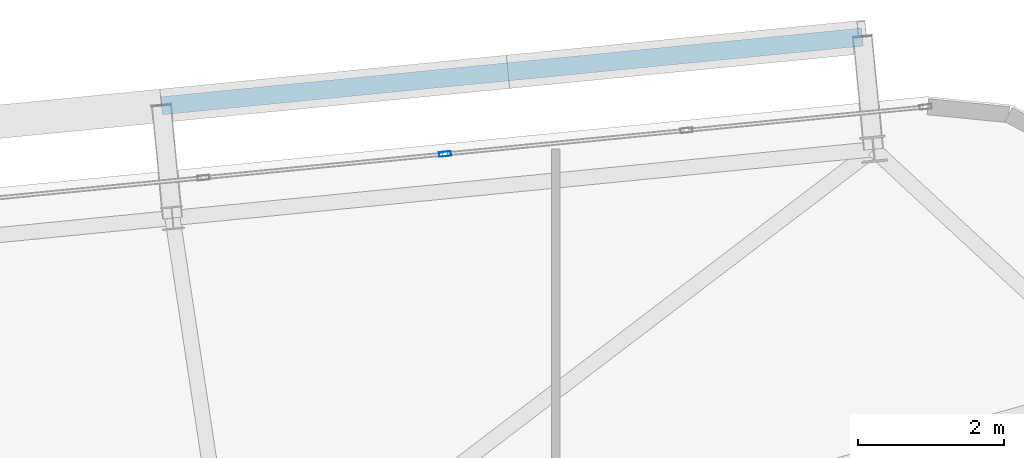
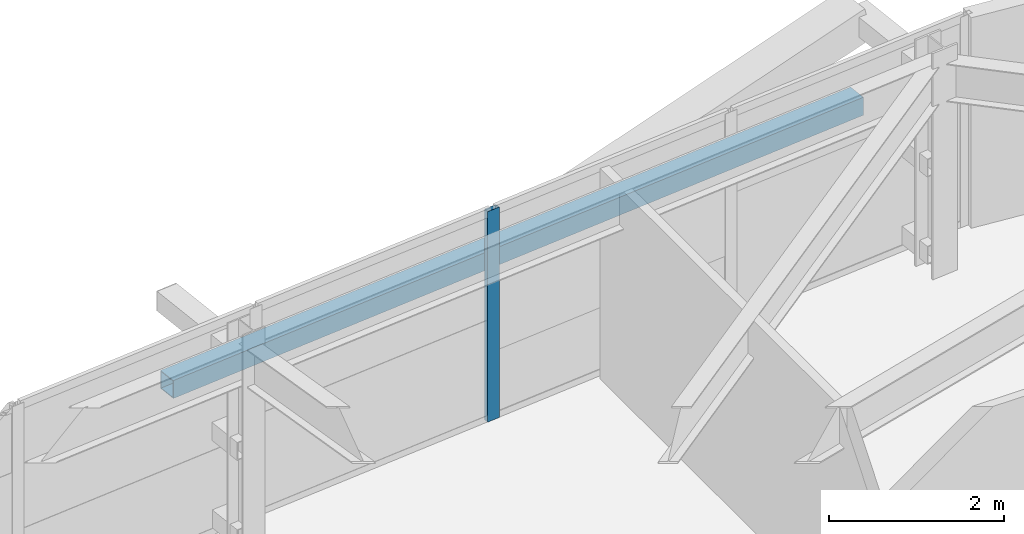
# One storey, part 33 of 53: 2 members, 1 element without a shape of its own.
"""IFC4 building model written with IfcOpenShell, lengths in metres."""

from ifc_helpers import new_model, si_unit, direction, frame, origin, origin_2d, place, context, subcontext, project, spatial, hollow_rectangle, extrude, source, transform, mapped, material, layer, layer_set, material_profile, profile_set, type_object, element, aggregate, save


model = new_model("IFC4")

# Units and contexts
model_context = context("Model", 3, precision=1e-05, world=origin(), true_north=direction((0.0, 1.0)))
body_context = subcontext(model_context, "Body", "Model", "MODEL_VIEW")
ifc_project = project(units=[si_unit("LENGTHUNIT", "METRE"), si_unit("AREAUNIT", "SQUARE_METRE"), si_unit("VOLUMEUNIT", "CUBIC_METRE"), si_unit("PLANEANGLEUNIT", "RADIAN"), si_unit("MASSUNIT", "GRAM", prefix="KILO")], contexts=[model_context])

# Site, building, storey
site_placement = place(None, origin())
site = spatial("IfcSite", under=ifc_project, at=site_placement, CompositionType="ELEMENT")
building_placement = place(site_placement, origin())
building = spatial("IfcBuilding", under=site, at=building_placement, Name="Taldren Reach Tower", CompositionType="ELEMENT")
storey_placement = place(building_placement, frame((0.0, 0.0, 68.25)))
storey = spatial("IfcBuildingStorey", under=building, at=storey_placement, Name="L20", CompositionType="ELEMENT", Elevation=68.25)

# Member
ifc_material_1 = material(Name="Steel Gr 350 (C350L0)", Category="steel")
ifc_material_profile_1 = material_profile(ifc_material_1, hollow_rectangle(XDim=0.25, YDim=0.25, WallThickness=0.010009765625, at=origin_2d()), Name="250x250x10.0SHS")
ifc_profile_set_1 = profile_set([ifc_material_profile_1], Name="Steel Gr 350 (C350L0)")
member_type_1 = type_object("IfcMemberType", Name="MB-POST250", PredefinedType="POST", material=ifc_profile_set_1)
shared_shape_1 = source(origin(), body_context, "Body", "SweptSolid", [
    extrude(hollow_rectangle(XDim=0.25, YDim=0.25, WallThickness=0.010009765625, at=origin_2d()), origin(), (0.0, 0.0, 1.0), 9.679931640625),
])
member_1_placement = place(storey_placement, frame((49.980712890625, 39.27783203125, 1.43505859375), z_axis=(0.995227612658, 0.097580730699, 0.0), x_axis=(-0.097580730699, 0.995227612658, 0.0)))
element("IfcMember", 1, at=member_1_placement, inside=storey, type_object=member_type_1, Name="Exoskeleton mid-height ring chord B2-N5 L20", PredefinedType="POST", context=body_context, shape_type="MappedRepresentation", body=[
    mapped(shared_shape_1, transform((0.0, 0.0, 0.0), scale=1.0)),
])

# Curtain wall, member
ifc_material_2 = material(Name="Aluminium and Low-E Glass Unitised System", Category="aluminium")
ifc_layer = layer(ifc_material_2, 0.159912109375)
ifc_layer_set = layer_set([ifc_layer], Name="Aluminium and Low-E Glass Unitised System")
curtain_wall_type = type_object("IfcCurtainWallType", Name="CW-SYS-3", PredefinedType="NOTDEFINED", material=ifc_layer_set)
curtain_wall_placement = place(storey_placement, origin())
curtain_wall = element("IfcCurtainWall", 2, at=curtain_wall_placement, inside=storey, type_object=curtain_wall_type, Name="Unitised curtain wall CW-L20-N", PredefinedType="NOTDEFINED")
ifc_material_3 = material(Name="Anodised Aluminium 6063-T6", Category="aluminium")
ifc_material_profile_2 = material_profile(ifc_material_3, hollow_rectangle(XDim=0.06494140625, YDim=0.1650390625, WallThickness=0.00390625, at=origin_2d()), Name="ALU-165x65x4RHS")
ifc_profile_set_2 = profile_set([ifc_material_profile_2], Name="Anodised Aluminium 6063-T6")
member_type_2 = type_object("IfcMemberType", Name="CW-MUL-165", PredefinedType="MULLION", material=ifc_profile_set_2)
shared_shape_2 = source(origin(), body_context, "Body", "SweptSolid", [
    extrude(hollow_rectangle(XDim=0.06494140625, YDim=0.1650390625, WallThickness=0.00390625, at=origin_2d()), origin(), (0.0, 0.0, 1.0), 2.929931640625),
])
member_2_placement = place(storey_placement, frame((53.87744140625, 38.614990234375, 0.0), z_axis=(0.0, 0.0, 1.0), x_axis=(0.097582999046, -0.995227390247, 0.0)))
member_2 = element("IfcMember", 3, at=member_2_placement, type_object=member_type_2, Name="CW-3 mullion 3", PredefinedType="MULLION", context=body_context, shape_type="MappedRepresentation", body=[
    mapped(shared_shape_2, transform((0.0, 0.0, 0.0), scale=1.0)),
])
aggregate(curtain_wall, [member_2])

save(model, "model.ifc")
